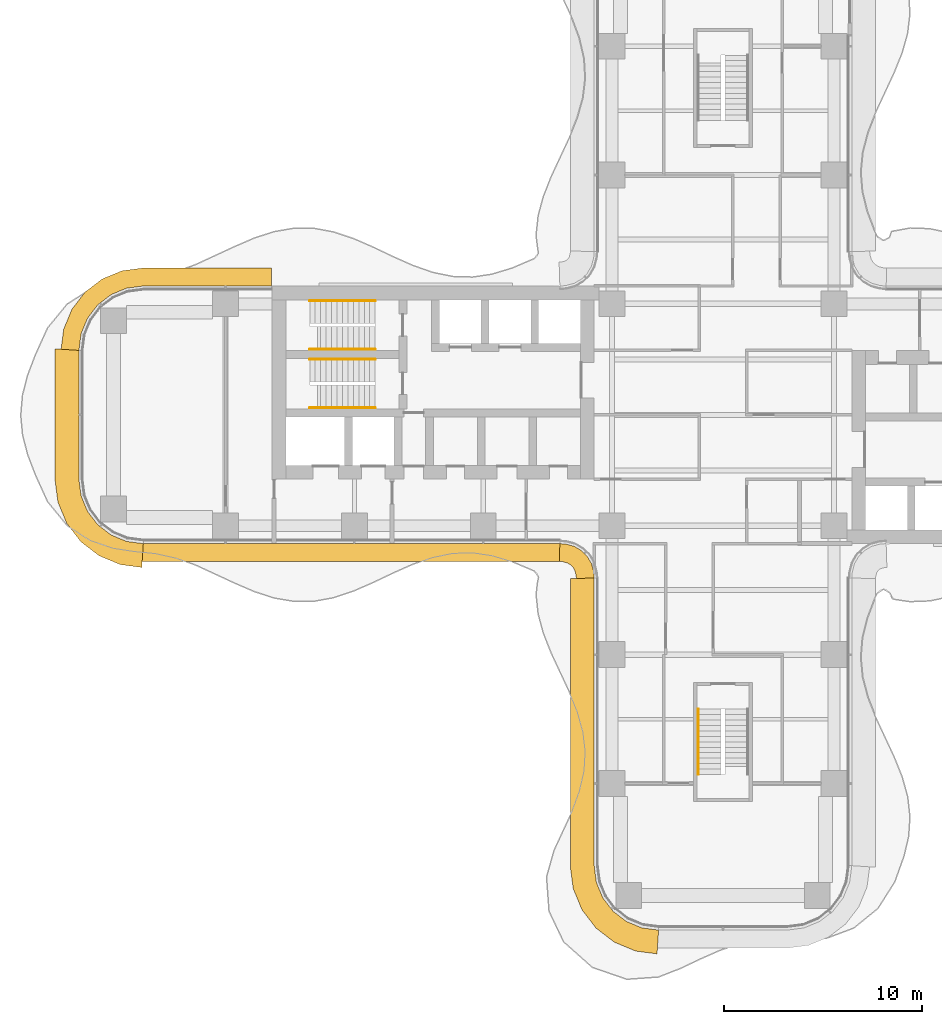
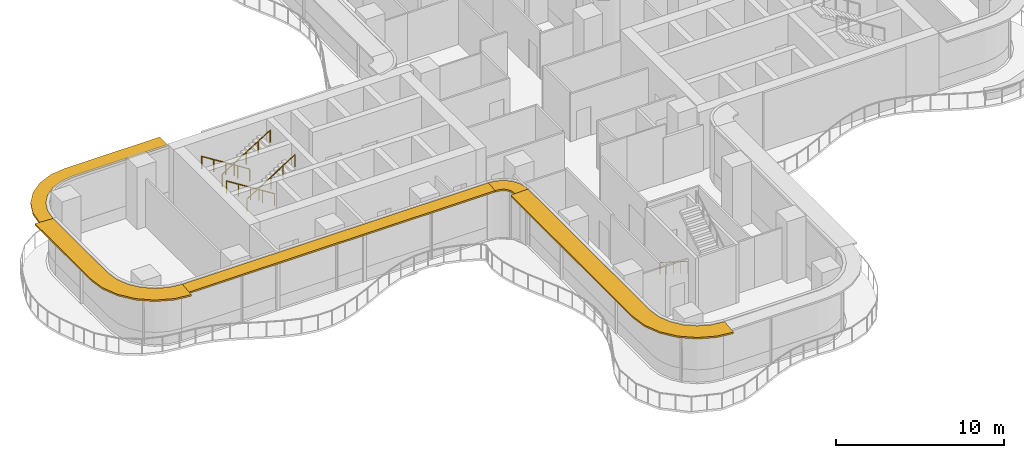
# One storey, part 19 of 20: 5 railings, 5 shading devices.
"""IFC4 building model written with IfcOpenShell, lengths in metres."""

from ifc_helpers import new_model, si_unit, direction, frame, origin, origin_2d, place, context, subcontext, project, spatial, polyline, circle, outline, extrude, source, transform, mapped, material, layer, layer_set, type_object, element, save


model = new_model("IFC4")

# Units and contexts
model_context = context("Model", 3, precision=1e-05, world=origin(), true_north=direction((0.0, 1.0)))
body_context = subcontext(model_context, "Body", "Model", "MODEL_VIEW")
ifc_project = project(units=[si_unit("LENGTHUNIT", "METRE"), si_unit("AREAUNIT", "SQUARE_METRE"), si_unit("VOLUMEUNIT", "CUBIC_METRE"), si_unit("PLANEANGLEUNIT", "RADIAN"), si_unit("MASSUNIT", "GRAM", prefix="KILO")], contexts=[model_context])

# Site, building, storey
site_placement = place(None, origin())
site = spatial("IfcSite", under=ifc_project, at=site_placement, CompositionType="ELEMENT")
building_placement = place(site_placement, origin())
building = spatial("IfcBuilding", under=site, at=building_placement, Name="Trellis Farm Tower", CompositionType="ELEMENT")
storey_placement = place(building_placement, frame((0.0, 0.0, 133.5)))
storey = spatial("IfcBuildingStorey", under=building, at=storey_placement, Name="L28", CompositionType="ELEMENT", Elevation=133.5)

# Railings
ifc_material_1 = material(Name="Stainless steel", Category="steel")
railing_type = type_object("IfcRailingType", Name="STAIR HANDRAIL 900", PredefinedType="HANDRAIL", material=ifc_material_1)
shared_shape_1 = source(origin(), body_context, "Body", "SweptSolid", [
    extrude(circle(Radius=0.02392578125, at=origin_2d()), frame((0.0, 0.0, 0.8759765625), z_axis=(0.0, -0.846319618018, 0.532675421018), x_axis=(1.0, 0.0, 0.0)), (0.0, 0.0, 1.0), 3.89892578125),
    extrude(circle(Radius=0.02099609375, at=origin_2d()), origin(), (0.0, 0.0, 1.0), 0.851806640625),
    extrude(circle(Radius=0.02099609375, at=origin_2d()), frame((0.0, -0.824951171875, 0.519287109375)), (0.0, 0.0, 1.0), 0.851806640625),
    extrude(circle(Radius=0.02099609375, at=origin_2d()), frame((0.0, -1.64990234375, 1.03857421875)), (0.0, 0.0, 1.0), 0.851806640625),
    extrude(circle(Radius=0.02099609375, at=origin_2d()), frame((0.0, -2.474853515625, 1.5576171875)), (0.0, 0.0, 1.0), 0.851806640625),
    extrude(circle(Radius=0.02099609375, at=origin_2d()), frame((0.0, -3.2998046875, 2.076904296875)), (0.0, 0.0, 1.0), 0.851806640625),
])
railing_placement = place(storey_placement, frame((-1.25, -14.85009765625, 0.173095703125)))
element("IfcRailing", 1, at=railing_placement, inside=storey, type_object=railing_type, Name="Stair handrail", PredefinedType="HANDRAIL", context=body_context, shape_type="MappedRepresentation", body=[
    mapped(shared_shape_1, transform((0.0, 0.0, 0.0))),
])
shared_shape_2 = source(origin(), body_context, "Body", "SweptSolid", [
    extrude(circle(Radius=0.02392578125, at=origin_2d()), frame((0.0, 0.0, 0.8759765625), z_axis=(0.846337383501, 0.0, 0.532647194011), x_axis=(0.0, 1.0, 0.0)), (0.0, 0.0, 1.0), 3.899169921875),
    extrude(circle(Radius=0.02099609375, at=origin_2d()), origin(), (0.0, 0.0, 1.0), 0.851806640625),
    extrude(circle(Radius=0.02099609375, at=origin_2d()), frame((0.824951171875, 0.0, 0.519287109375)), (0.0, 0.0, 1.0), 0.851806640625),
    extrude(circle(Radius=0.02099609375, at=origin_2d()), frame((1.64990234375, 0.0, 1.03857421875)), (0.0, 0.0, 1.0), 0.851806640625),
    extrude(circle(Radius=0.02099609375, at=origin_2d()), frame((2.47509765625, 0.0, 1.5576171875)), (0.0, 0.0, 1.0), 0.851806640625),
    extrude(circle(Radius=0.02099609375, at=origin_2d()), frame((3.300048828125, 0.0, 2.076904296875)), (0.0, 0.0, 1.0), 0.851806640625),
])
for number, where, name in (
    (2, (-20.85009765625, 3.300048828125, 2.423095703125), "Stair handrail"),
    (3, (-20.85009765625, 0.35009765625, 2.423095703125), "Stair handrail"),
):
    element("IfcRailing", number, at=place(storey_placement, frame(where)), inside=storey, type_object=railing_type, Name=name, PredefinedType="HANDRAIL", context=body_context, shape_type="MappedRepresentation", body=[
        mapped(shared_shape_2, transform((0.0, 0.0, 0.0))),
    ])
shared_shape_3 = source(origin(), body_context, "Body", "SweptSolid", [
    extrude(circle(Radius=0.02392578125, at=origin_2d()), frame((0.0, 0.0, 0.8759765625), z_axis=(-0.846337383501, 0.0, 0.532647194011), x_axis=(0.0, -1.0, 0.0)), (0.0, 0.0, 1.0), 3.899169921875),
    extrude(circle(Radius=0.02099609375, at=origin_2d()), origin(), (0.0, 0.0, 1.0), 0.851806640625),
    extrude(circle(Radius=0.02099609375, at=origin_2d()), frame((-0.824951171875, 0.0, 0.519287109375)), (0.0, 0.0, 1.0), 0.851806640625),
    extrude(circle(Radius=0.02099609375, at=origin_2d()), frame((-1.64990234375, 0.0, 1.03857421875)), (0.0, 0.0, 1.0), 0.851806640625),
    extrude(circle(Radius=0.02099609375, at=origin_2d()), frame((-2.47509765625, 0.0, 1.5576171875)), (0.0, 0.0, 1.0), 0.851806640625),
    extrude(circle(Radius=0.02099609375, at=origin_2d()), frame((-3.300048828125, 0.0, 2.076904296875)), (0.0, 0.0, 1.0), 0.851806640625),
])
for number, where, name in (
    (4, (-17.550048828125, 5.75, 0.173095703125), "Stair handrail"),
    (5, (-17.550048828125, 2.800048828125, 0.173095703125), "Stair handrail"),
):
    element("IfcRailing", number, at=place(storey_placement, frame(where)), inside=storey, type_object=railing_type, Name=name, PredefinedType="HANDRAIL", context=body_context, shape_type="MappedRepresentation", body=[
        mapped(shared_shape_3, transform((0.0, 0.0, 0.0))),
    ])

# Shading devices
ifc_material_2 = material(Name="Aluminium extrusion 6063-T6", Category="aluminium")
ifc_layer_1 = layer(ifc_material_2, 0.1201171875)
ifc_layer_set_1 = layer_set([ifc_layer_1], Name="SUNSHADE BLADE 900")
shading_device_type_1 = type_object("IfcShadingDeviceType", Name="SUNSHADE BLADE 900", PredefinedType="USERDEFINED", material=ifc_layer_set_1)
shared_shape_4 = source(origin(), body_context, "Body", "SweptSolid", [
    extrude(outline(polyline([(-29.30908203125, -7.39990234375), (-8.2607421875, -7.39990234375), (-8.2314453125, -6.5), (-29.25, -6.5), (-29.30908203125, -7.39990234375)])), origin(), (0.0, 0.0, 1.0), 0.119873046875),
])
placement = place(storey_placement, frame((0.0, 0.0, 4.090087890625)))
element("IfcShadingDevice", 6, at=placement, inside=storey, type_object=shading_device_type_1, Name="SD1 001", ObjectType="SUNSHADE", PredefinedType="USERDEFINED", context=body_context, shape_type="MappedRepresentation", body=[
    mapped(shared_shape_4, transform((0.0, 0.0, 0.0))),
])
shared_shape_5 = source(origin(), body_context, "Body", "SweptSolid", [
    extrude(outline(polyline([(-8.2607421875, -7.39990234375), (-8.107666015625, -7.409912109375), (-8.091552734375, -7.412109375), (-7.85595703125, -7.475341796875), (-7.697021484375, -7.567138671875), (-7.567138671875, -7.697021484375), (-7.475341796875, -7.85595703125), (-7.412109375, -8.091552734375), (-7.409912109375, -8.107666015625), (-7.39990234375, -8.2607421875), (-6.5, -8.2314453125), (-6.513916015625, -8.01953125), (-6.527587890625, -7.91552734375), (-6.63671875, -7.508544921875), (-6.846923828125, -7.144287109375), (-7.144287109375, -6.846923828125), (-7.508544921875, -6.63671875), (-7.91552734375, -6.527587890625), (-8.01953125, -6.513916015625), (-8.2314453125, -6.5), (-8.2607421875, -7.39990234375)])), origin(), (0.0, 0.0, 1.0), 0.119873046875),
])
element("IfcShadingDevice", 7, at=placement, inside=storey, type_object=shading_device_type_1, Name="SD1 002", ObjectType="SUNSHADE", PredefinedType="USERDEFINED", context=body_context, shape_type="MappedRepresentation", body=[
    mapped(shared_shape_5, transform((0.0, 0.0, 0.0))),
])
shared_shape_6 = source(origin(), body_context, "Body", "SweptSolid", [
    extrude(outline(polyline([(-22.780029296875, 7.39990234375), (-29.30908203125, 7.39990234375), (-30.326171875, 7.26611328125), (-31.328857421875, 6.850830078125), (-32.18994140625, 6.18994140625), (-32.850830078125, 5.328857421875), (-33.26611328125, 4.326171875), (-33.39990234375, 3.30908203125), (-32.5, 3.25), (-32.38916015625, 4.091064453125), (-32.064697265625, 4.875), (-31.548095703125, 5.548095703125), (-30.875, 6.064697265625), (-30.091064453125, 6.38916015625), (-29.25, 6.5), (-22.780029296875, 6.5), (-22.780029296875, 7.39990234375)])), origin(), (0.0, 0.0, 1.0), 0.119873046875),
])
element("IfcShadingDevice", 8, at=placement, inside=storey, type_object=shading_device_type_1, Name="SD1 015", ObjectType="SUNSHADE", PredefinedType="USERDEFINED", context=body_context, shape_type="MappedRepresentation", body=[
    mapped(shared_shape_6, transform((0.0, 0.0, 0.0))),
])
ifc_layer_2 = layer(ifc_material_2, 0.1201171875)
ifc_layer_set_2 = layer_set([ifc_layer_2], Name="SUNSHADE BLADE 1200")
shading_device_type_2 = type_object("IfcShadingDeviceType", Name="SUNSHADE BLADE 1200", PredefinedType="USERDEFINED", material=ifc_layer_set_2)
shared_shape_7 = source(origin(), body_context, "Body", "SweptSolid", [
    extrude(outline(polyline([(-33.699951171875, 3.32861328125), (-33.699951171875, -3.32861328125), (-33.558349609375, -4.404541015625), (-33.11279296875, -5.480224609375), (-32.404052734375, -6.404052734375), (-31.480224609375, -7.11279296875), (-30.404541015625, -7.558349609375), (-29.32861328125, -7.699951171875), (-29.25, -6.5), (-30.091064453125, -6.38916015625), (-30.875, -6.064697265625), (-31.548095703125, -5.548095703125), (-32.064697265625, -4.875), (-32.38916015625, -4.091064453125), (-32.5, -3.25), (-32.5, 3.25), (-33.699951171875, 3.32861328125)])), origin(), (0.0, 0.0, 1.0), 0.119873046875),
])
element("IfcShadingDevice", 9, at=placement, inside=storey, type_object=shading_device_type_2, Name="SD2 016", ObjectType="SUNSHADE", PredefinedType="USERDEFINED", context=body_context, shape_type="MappedRepresentation", body=[
    mapped(shared_shape_7, transform((0.0, 0.0, 0.0))),
])
shared_shape_8 = source(origin(), body_context, "Body", "SweptSolid", [
    extrude(outline(polyline([(-7.699951171875, -8.270751953125), (-7.699951171875, -22.82861328125), (-7.558349609375, -23.904541015625), (-7.11279296875, -24.980224609375), (-6.404052734375, -25.904052734375), (-5.480224609375, -26.61279296875), (-4.404541015625, -27.058349609375), (-3.32861328125, -27.199951171875), (-3.25, -26.0), (-4.091064453125, -25.88916015625), (-4.875, -25.564697265625), (-5.548095703125, -25.048095703125), (-6.064697265625, -24.375), (-6.38916015625, -23.591064453125), (-6.5, -22.75), (-6.5, -8.2314453125), (-7.699951171875, -8.270751953125)])), origin(), (0.0, 0.0, 1.0), 0.119873046875),
])
element("IfcShadingDevice", 10, at=placement, inside=storey, type_object=shading_device_type_2, Name="SD2 003", ObjectType="SUNSHADE", PredefinedType="USERDEFINED", context=body_context, shape_type="MappedRepresentation", body=[
    mapped(shared_shape_8, transform((0.0, 0.0, 0.0))),
])

save(model, "model.ifc")
